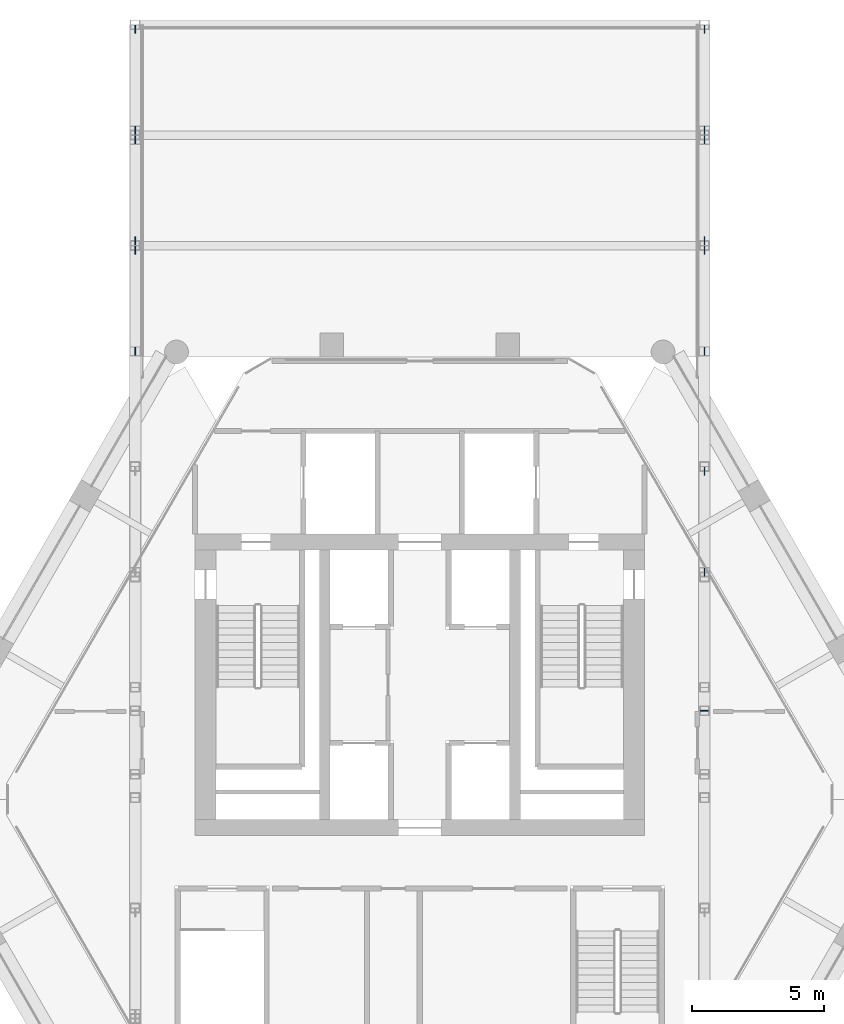
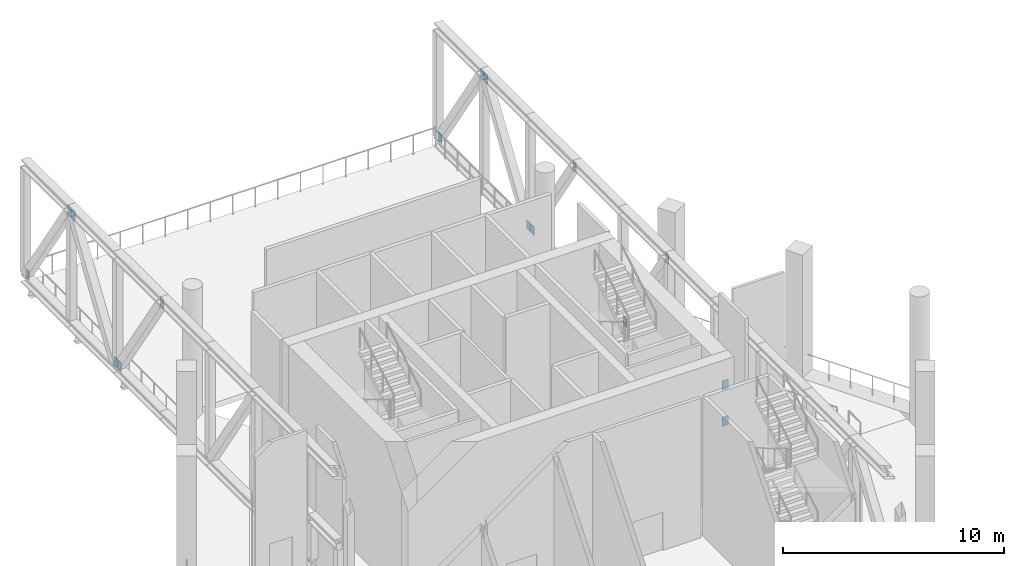
# One storey, part 10 of 14: 16 discrete accessories.
"""IFC4 building model written with IfcOpenShell, lengths in metres."""

from ifc_helpers import new_model, si_unit, direction, frame, origin, origin_2d, place, context, subcontext, project, spatial, rectangle, extrude, material, layer, layer_set, type_object, element, save


model = new_model("IFC4")

# Units and contexts
model_context = context("Model", 3, precision=1e-05, world=origin(), true_north=direction((0.0, 1.0)))
body_context = subcontext(model_context, "Body", "Model", "MODEL_VIEW")
ifc_project = project(units=[si_unit("LENGTHUNIT", "METRE"), si_unit("AREAUNIT", "SQUARE_METRE"), si_unit("VOLUMEUNIT", "CUBIC_METRE"), si_unit("PLANEANGLEUNIT", "RADIAN"), si_unit("MASSUNIT", "GRAM", prefix="KILO")], contexts=[model_context])

# Site, building, storey
site_placement = place(None, origin())
site = spatial("IfcSite", under=ifc_project, at=site_placement, CompositionType="ELEMENT")
building_placement = place(site_placement, origin())
building = spatial("IfcBuilding", under=site, at=building_placement, Name="Ostrander Bayou Hotel Tower", CompositionType="ELEMENT")
storey_placement = place(building_placement, frame((0.0, 0.0, 237.0)))
storey = spatial("IfcBuildingStorey", under=building, at=storey_placement, Name="L59", CompositionType="ELEMENT", Elevation=237.0)

# Discrete accessories
ifc_material = material(Name="Steel ASTM A572 Gr 50", Category="steel")
ifc_layer = layer(ifc_material, 0.030029296875)
ifc_layer_set = layer_set([ifc_layer], Name="GP1 gusset plate 30 mm")
discrete_accessory_type = type_object("IfcDiscreteAccessoryType", Name="GP1 gusset plate 30 mm", PredefinedType="BRACKET", material=ifc_layer_set)
for number, where, z_axis, x_axis, name in (
    (1, (-10.764892578125, 28.788818359375, 0.247802734375), (0.0, 0.0, 1.0), (0.0, -1.0, 0.0), "GP1 gusset plate bar 217"),
    (2, (-10.764892578125, 24.96826171875, 6.05224609375), (0.0, 0.0, 1.0), (0.0, -1.0, 0.0), "GP1 gusset plate bar 218"),
    (3, (-10.764892578125, 20.7919921875, 0.247802734375), (0.0, 0.0, 1.0), (0.0, 1.0, 0.0), "GP1 gusset plate bar 219"),
    (4, (-10.764892578125, 24.612548828125, 6.05224609375), (0.0, 0.0, 1.0), (0.0, 1.0, 0.0), "GP1 gusset plate bar 220"),
    (5, (-10.764892578125, 20.436279296875, 0.247802734375), (0.0, 0.0, 1.0), (0.0, -1.0, 0.0), "GP1 gusset plate bar 221"),
    (6, (-10.764892578125, 16.61572265625, 6.05224609375), (0.0, 0.0, 1.0), (0.0, -1.0, 0.0), "GP1 gusset plate bar 222"),
    (7, (10.764892578125, 28.788818359375, 0.247802734375), (0.0, 0.0, 1.0), (0.0, -1.0, 0.0), "GP1 gusset plate bar 239"),
    (8, (10.764892578125, 24.96826171875, 6.05224609375), (0.0, 0.0, 1.0), (0.0, -1.0, 0.0), "GP1 gusset plate bar 240"),
    (9, (10.764892578125, 20.7919921875, 0.247802734375), (0.0, 0.0, 1.0), (0.0, 1.0, 0.0), "GP1 gusset plate bar 241"),
    (10, (10.764892578125, 24.612548828125, 6.05224609375), (0.0, 0.0, 1.0), (0.0, 1.0, 0.0), "GP1 gusset plate bar 242"),
    (11, (10.764892578125, 20.436279296875, 0.247802734375), (0.0, 0.0, 1.0), (0.0, -1.0, 0.0), "GP1 gusset plate bar 243"),
    (12, (10.764892578125, 16.61572265625, 6.05224609375), (0.0, 0.0, 1.0), (0.0, -1.0, 0.0), "GP1 gusset plate bar 244"),
    (13, (10.764892578125, 12.083984375, 0.247802734375), (0.0, 0.0, 1.0), (0.0, -1.0, 0.0), "GP1 gusset plate bar 245"),
    (14, (10.764892578125, 8.263427734375, 6.05224609375), (0.0, 0.0, 1.0), (0.0, -1.0, 0.0), "GP1 gusset plate bar 246"),
    (15, (10.764892578125, 3.021484375, 0.247802734375), (0.0, 0.0, 1.0), (1.0, 0.0, 0.0), "GP1 gusset plate bar 247"),
    (16, (10.764892578125, 3.021484375, 2.25), (0.0, 0.0, 1.0), (1.0, 0.0, 0.0), "GP1 gusset plate bar 248"),
):
    element("IfcDiscreteAccessory", number, at=place(storey_placement, frame(where, z_axis=z_axis, x_axis=x_axis)), inside=storey, type_object=discrete_accessory_type, Name=name, PredefinedType="BRACKET", context=body_context, shape_type="SweptSolid", body=[
        extrude(rectangle(XDim=0.300048828125, YDim=0.030029296875, at=origin_2d()), origin(), (0.0, 0.0, 1.0), 0.5),
    ])

save(model, "model.ifc")
